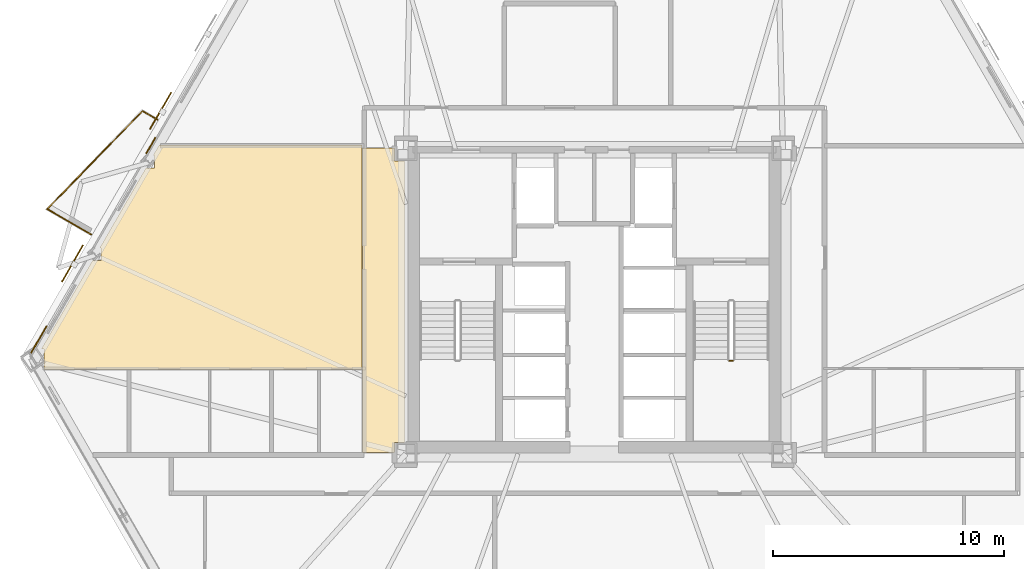
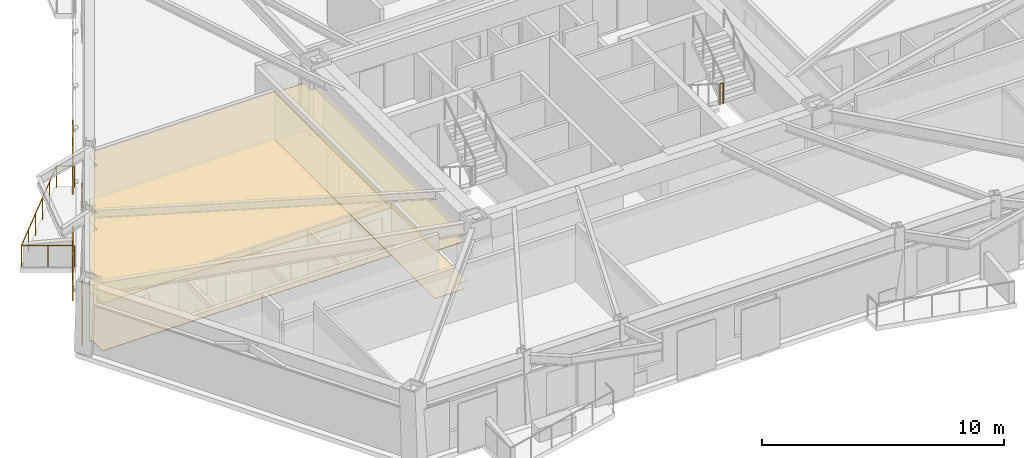
# One storey, part 10 of 12: 6 coverings, 4 railings, 2 shading devices.
"""IFC4 building model written with IfcOpenShell, lengths in metres."""

from ifc_helpers import new_model, si_unit, direction, frame, origin, origin_2d, place, context, subcontext, project, spatial, polyline, rectangle, circle, outline, extrude, material, layer, layer_set, type_object, element, save


model = new_model("IFC4")

# Units and contexts
model_context = context("Model", 3, precision=1e-05, world=origin(), true_north=direction((0.0, 1.0)))
body_context = subcontext(model_context, "Body", "Model", "MODEL_VIEW")
ifc_project = project(units=[si_unit("LENGTHUNIT", "METRE"), si_unit("AREAUNIT", "SQUARE_METRE"), si_unit("VOLUMEUNIT", "CUBIC_METRE"), si_unit("PLANEANGLEUNIT", "RADIAN"), si_unit("MASSUNIT", "GRAM", prefix="KILO")], contexts=[model_context])

# Site, building, storey
site_placement = place(None, origin())
site = spatial("IfcSite", under=ifc_project, at=site_placement, CompositionType="ELEMENT")
building_placement = place(site_placement, origin())
building = spatial("IfcBuilding", under=site, at=building_placement, Name="Oramaril Tower", CompositionType="ELEMENT")
storey_placement = place(building_placement, frame((0.0, 0.0, 34.5)))
storey = spatial("IfcBuildingStorey", under=building, at=storey_placement, Name="L08", CompositionType="ELEMENT", Elevation=34.5)

# Coverings
ifc_material_1 = material(Name="Mineral Fibre Acoustic Ceiling")
ifc_layer_1 = layer(ifc_material_1, 0.02001953125)
ifc_layer_set_1 = layer_set([ifc_layer_1], Name="CVT-CEIL")
covering_type_1 = type_object("IfcCoveringType", Name="CVT-CEIL", PredefinedType="CEILING", material=ifc_layer_set_1)
covering_1_placement = place(storey_placement, frame((0.0, 0.0, 2.39990234375)))
element("IfcCovering", 1, at=covering_1_placement, inside=storey, type_object=covering_type_1, Name="L08 Acoustic Suspended Ceiling 3", PredefinedType="CEILING", context=body_context, shape_type="SweptSolid", body=[
    extrude(outline(polyline([(28.85498046875, 23.655029296875), (29.280029296875, 23.655029296875), (29.280029296875, 11.4951171875), (28.85498046875, 11.4951171875), (28.85498046875, 11.050048828125), (27.469970703125, 11.050048828125), (27.469970703125, 24.219970703125), (28.85498046875, 24.219970703125), (28.85498046875, 23.655029296875)])), origin(), (0.0, 0.0, 1.0), 0.02001953125),
])
covering_2_placement = place(storey_placement, frame((0.0, 0.0, 2.39990234375)))
element("IfcCovering", 2, at=covering_2_placement, inside=storey, type_object=covering_type_1, Name="L08 Acoustic Suspended Ceiling 10", PredefinedType="CEILING", context=body_context, shape_type="SweptSolid", body=[
    extrude(outline(polyline([(13.70703125, 14.651611328125), (13.70703125, 15.5283203125), (13.589111328125, 15.5283203125), (15.797119140625, 19.352783203125), (16.165771484375, 19.352783203125), (16.165771484375, 19.907470703125), (16.1171875, 19.907470703125), (18.108642578125, 23.3564453125), (18.477294921875, 23.3564453125), (18.477294921875, 23.8994140625), (18.422119140625, 23.8994140625), (18.689208984375, 24.362060546875), (27.449951171875, 24.362060546875), (27.449951171875, 24.239990234375), (27.4501953125, 24.238037109375), (27.450439453125, 24.236083984375), (27.450927734375, 24.234130859375), (27.451416015625, 24.232421875), (27.452392578125, 24.230712890625), (27.45263671875, 24.22998046875), (27.452392578125, 24.2294921875), (27.451416015625, 24.227783203125), (27.450927734375, 24.225830078125), (27.450439453125, 24.223876953125), (27.4501953125, 24.221923828125), (27.449951171875, 24.219970703125), (27.449951171875, 14.651611328125), (13.70703125, 14.651611328125)])), origin(), (0.0, 0.0, 1.0), 0.02001953125),
])
ifc_material_2 = material(Name="Warm Cream Limestone", Category="masonry")
ifc_layer_2 = layer(ifc_material_2, 0.050048828125)
ifc_layer_set_2 = layer_set([ifc_layer_2], Name="CVT-CLD")
covering_type_2 = type_object("IfcCoveringType", Name="CVT-CLD", PredefinedType="CLADDING", material=ifc_layer_set_2)
covering_3_placement = place(storey_placement, frame((13.479736328125, 15.94091796875, 0.0400390625), z_axis=(0.0, 0.0, 1.0), x_axis=(-0.5, -0.866025403784, 0.0)))
element("IfcCovering", 3, at=covering_3_placement, inside=storey, type_object=covering_type_2, Name="L08 Warm Cream Limestone Cladding", PredefinedType="CLADDING", context=body_context, shape_type="SweptSolid", body=[
    extrude(rectangle(XDim=1.35009765625, YDim=0.050048828125, at=origin_2d()), origin(), (0.0, 0.0, 1.0), 2.4140625),
])
covering_4_placement = place(storey_placement, frame((18.322509765625, 24.3291015625, 0.0400390625), z_axis=(0.0, 0.0, 1.0), x_axis=(-0.5, -0.866025403784, 0.0)))
element("IfcCovering", 4, at=covering_4_placement, inside=storey, type_object=covering_type_2, Name="L08 Warm Cream Limestone Spandrel Cladding", PredefinedType="CLADDING", context=body_context, shape_type="SweptSolid", body=[
    extrude(rectangle(XDim=0.800048828125, YDim=0.050048828125, at=origin_2d()), origin(), (0.0, 0.0, 1.0), 0.679931640625),
])
ifc_material_3 = material(Name="Honed Quartzite Stone Flooring", Category="masonry")
ifc_layer_3 = layer(ifc_material_3, 0.02490234375)
ifc_layer_set_3 = layer_set([ifc_layer_3], Name="CVT-FLR")
covering_type_3 = type_object("IfcCoveringType", Name="CVT-FLR", PredefinedType="FLOORING", material=ifc_layer_set_3)
covering_5_placement = place(storey_placement, origin())
element("IfcCovering", 5, at=covering_5_placement, inside=storey, type_object=covering_type_3, Name="L08 Honed Stone Floor Finish 3", PredefinedType="FLOORING", context=body_context, shape_type="SweptSolid", body=[
    extrude(outline(polyline([(28.85498046875, 23.655029296875), (29.280029296875, 23.655029296875), (29.280029296875, 11.4951171875), (28.85498046875, 11.4951171875), (28.85498046875, 11.050048828125), (27.469970703125, 11.050048828125), (27.469970703125, 24.219970703125), (28.85498046875, 24.219970703125), (28.85498046875, 23.655029296875)])), origin(), (0.0, 0.0, 1.0), 0.02490234375),
])
covering_6_placement = place(storey_placement, origin())
element("IfcCovering", 6, at=covering_6_placement, inside=storey, type_object=covering_type_3, Name="L08 Honed Stone Floor Finish 10", PredefinedType="FLOORING", context=body_context, shape_type="SweptSolid", body=[
    extrude(outline(polyline([(13.70703125, 14.651611328125), (13.70703125, 15.5283203125), (13.589111328125, 15.5283203125), (15.797119140625, 19.352783203125), (16.165771484375, 19.352783203125), (16.165771484375, 19.907470703125), (16.1171875, 19.907470703125), (18.108642578125, 23.3564453125), (18.477294921875, 23.3564453125), (18.477294921875, 23.8994140625), (18.422119140625, 23.8994140625), (18.689208984375, 24.362060546875), (27.449951171875, 24.362060546875), (27.449951171875, 24.239990234375), (27.4501953125, 24.238037109375), (27.450439453125, 24.236083984375), (27.450927734375, 24.234130859375), (27.451416015625, 24.232421875), (27.452392578125, 24.230712890625), (27.45263671875, 24.22998046875), (27.452392578125, 24.2294921875), (27.451416015625, 24.227783203125), (27.450927734375, 24.225830078125), (27.450439453125, 24.223876953125), (27.4501953125, 24.221923828125), (27.449951171875, 24.219970703125), (27.449951171875, 14.651611328125), (13.70703125, 14.651611328125)])), origin(), (0.0, 0.0, 1.0), 0.02490234375),
])

# Railings
ifc_material_4 = material(Name="Stainless Steel 316L", Category="steel")
railing_type = type_object("IfcRailingType", Name="RLT-GRD", PredefinedType="GUARDRAIL", material=ifc_material_4)
railing_1_placement = place(storey_placement, frame((15.74169921875, 20.48876953125, 0.0)))
element("IfcRailing", 7, at=railing_1_placement, inside=storey, type_object=railing_type, Name="L08 Balcony Guardrail L08-BAL-NW2.1", PredefinedType="GUARDRAIL", context=body_context, shape_type="SweptSolid", body=[
    extrude(circle(Radius=0.02392578125, at=origin_2d()), frame((0.0, 0.0, 1.076171875), z_axis=(-0.866048343933, 0.499960264392, 0.0), x_axis=(-0.499960264392, -0.866048343933, 0.0)), (0.0, 0.0, 1.0), 2.192138671875),
    extrude(circle(Radius=0.02099609375, at=origin_2d()), origin(), (0.0, 0.0, 1.0), 1.052001953125),
    extrude(circle(Radius=0.02099609375, at=origin_2d()), frame((-0.94921875, 0.5478515625, 0.0)), (0.0, 0.0, 1.0), 1.052001953125),
    extrude(circle(Radius=0.02099609375, at=origin_2d()), frame((-1.8984375, 1.095947265625, 0.0)), (0.0, 0.0, 1.0), 1.052001953125),
])
railing_2_placement = place(storey_placement, frame((13.84326171875, 21.584716796875, 0.0)))
element("IfcRailing", 8, at=railing_2_placement, inside=storey, type_object=railing_type, Name="L08 Balcony Guardrail L08-BAL-NW2.2", PredefinedType="GUARDRAIL", context=body_context, shape_type="SweptSolid", body=[
    extrude(circle(Radius=0.02392578125, at=origin_2d()), frame((0.0, 0.0, 1.076171875), z_axis=(0.697186915353, 0.716889395277, 0.0), x_axis=(-0.716889395277, 0.697186915353, 0.0)), (0.0, 0.0, 1.0), 5.91064453125),
    extrude(circle(Radius=0.02099609375, at=origin_2d()), origin(), (0.0, 0.0, 1.0), 1.052001953125),
    extrude(circle(Radius=0.02099609375, at=origin_2d()), frame((0.82421875, 0.847412109375, 0.0)), (0.0, 0.0, 1.0), 1.052001953125),
    extrude(circle(Radius=0.02099609375, at=origin_2d()), frame((1.6484375, 1.69482421875, 0.0)), (0.0, 0.0, 1.0), 1.052001953125),
    extrude(circle(Radius=0.02099609375, at=origin_2d()), frame((2.472412109375, 2.54248046875, 0.0)), (0.0, 0.0, 1.0), 1.052001953125),
    extrude(circle(Radius=0.02099609375, at=origin_2d()), frame((3.296630859375, 3.389892578125, 0.0)), (0.0, 0.0, 1.0), 1.052001953125),
    extrude(circle(Radius=0.02099609375, at=origin_2d()), frame((4.120849609375, 4.2373046875, 0.0)), (0.0, 0.0, 1.0), 1.052001953125),
])
railing_3_placement = place(storey_placement, frame((17.964111328125, 25.822021484375, 0.0)))
element("IfcRailing", 9, at=railing_3_placement, inside=storey, type_object=railing_type, Name="L08 Balcony Guardrail L08-BAL-NW2.3", PredefinedType="GUARDRAIL", context=body_context, shape_type="SweptSolid", body=[
    extrude(circle(Radius=0.02392578125, at=origin_2d()), frame((0.0, 0.0, 1.076171875), z_axis=(0.866108878364, -0.499855389907, 0.0), x_axis=(0.499855389907, 0.866108878364, 0.0)), (0.0, 0.0, 1.0), 0.741943359375),
    extrude(circle(Radius=0.02099609375, at=origin_2d()), origin(), (0.0, 0.0, 1.0), 1.052001953125),
    extrude(circle(Radius=0.02099609375, at=origin_2d()), frame((0.642578125, -0.370849609375, 0.0)), (0.0, 0.0, 1.0), 1.052001953125),
])
railing_4_placement = place(storey_placement, frame((43.340087890625, 15.02001953125, 1.800048828125)))
element("IfcRailing", 10, at=railing_4_placement, inside=storey, type_object=railing_type, Name="L08 ST-2 stair guard 2", PredefinedType="GUARDRAIL", context=body_context, shape_type="SweptSolid", body=[
    extrude(circle(Radius=0.02392578125, at=origin_2d()), frame((0.0, 0.0, 1.076171875), z_axis=(1.0, 0.0, 0.0), x_axis=(0.0, 1.0, 0.0)), (0.0, 0.0, 1.0), 0.14990234375),
    extrude(circle(Radius=0.02099609375, at=origin_2d()), origin(), (0.0, 0.0, 1.0), 1.052001953125),
    extrude(circle(Radius=0.02099609375, at=origin_2d()), frame((0.14990234375, 0.0, 0.0)), (0.0, 0.0, 1.0), 1.052001953125),
])

# Shading devices
for number, where, z_axis, x_axis, name in (
    (11, (14.933837890625, 19.233642578125, -0.02001953125), (0.0, 0.0, 1.0), (-0.5, -0.866025403784, 0.0), "L08 Perforated Ceramic Solar Screen"),
    (12, (18.744873046875, 25.83447265625, -0.02001953125), (0.0, 0.0, 1.0), (-0.5, -0.866025403784, 0.0), "L08 Perforated Ceramic Solar Screen"),
):
    element("IfcShadingDevice", number, at=place(storey_placement, frame(where, z_axis=z_axis, x_axis=x_axis)), inside=storey, Name=name, ObjectType="SCREEN", PredefinedType="USERDEFINED", context=body_context, shape_type="SweptSolid", body=[
        extrude(rectangle(XDim=1.8330078125, YDim=0.050048828125, at=origin_2d()), origin(), (0.0, 0.0, 1.0), 2.493896484375),
    ])

save(model, "model.ifc")
